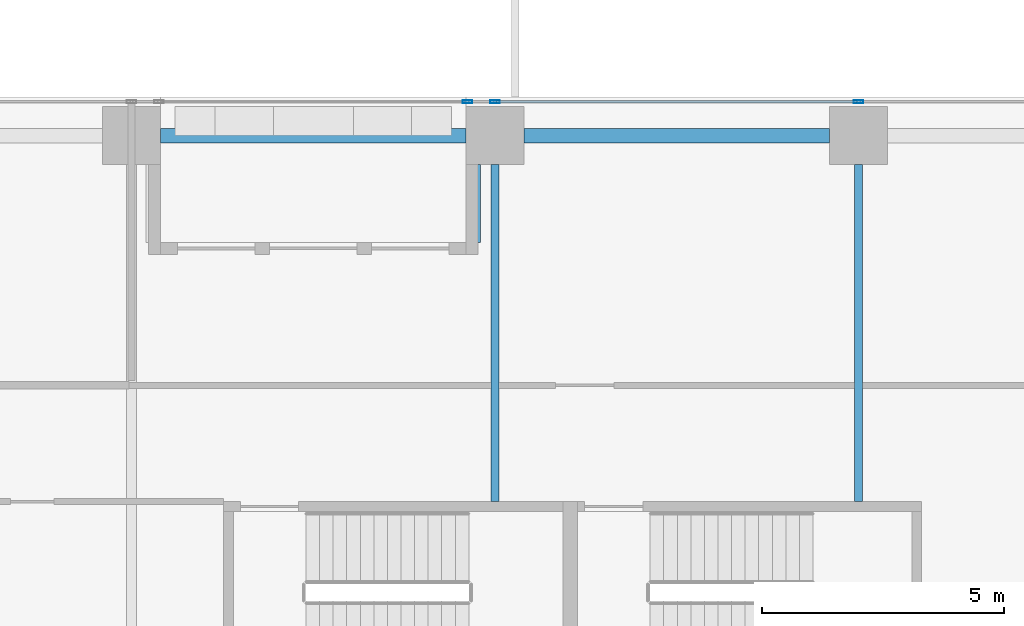
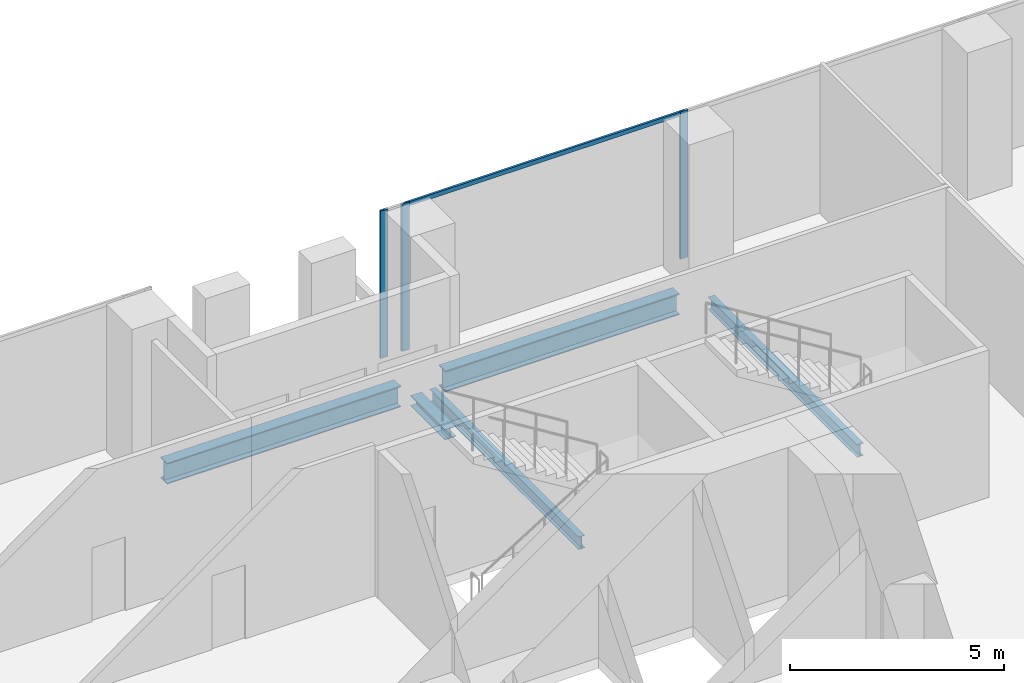
# One storey, part 15 of 33: 5 beams, 4 members, 1 element without a shape of its own.
"""IFC4 building model written with IfcOpenShell, lengths in metres."""

from ifc_helpers import new_model, si_unit, direction, frame, origin, origin_2d, place, context, subcontext, project, spatial, hollow_rectangle, i_section, extrude, source, transform, mapped, material, material_profile, profile_set, type_object, element, aggregate, save


model = new_model("IFC4")

# Units and contexts
model_context = context("Model", 3, precision=1e-05, world=origin(), true_north=direction((0.0, 1.0)))
body_context = subcontext(model_context, "Body", "Model", "MODEL_VIEW")
ifc_project = project(units=[si_unit("LENGTHUNIT", "METRE"), si_unit("AREAUNIT", "SQUARE_METRE"), si_unit("VOLUMEUNIT", "CUBIC_METRE"), si_unit("PLANEANGLEUNIT", "RADIAN"), si_unit("MASSUNIT", "GRAM", prefix="KILO")], contexts=[model_context])

# Site, building, storey
site_placement = place(None, origin())
site = spatial("IfcSite", under=ifc_project, at=site_placement, CompositionType="ELEMENT")
building_placement = place(site_placement, origin())
building = spatial("IfcBuilding", under=site, at=building_placement, Name="Khomas Fold Tower", CompositionType="ELEMENT")
storey_placement = place(building_placement, frame((0.0, 0.0, 82.5)))
storey = spatial("IfcBuildingStorey", under=building, at=storey_placement, Name="L17", CompositionType="ELEMENT", Elevation=82.5)

# Beams
ifc_material_1 = material(Name="Steel S355", Category="steel")
ifc_material_profile_1 = material_profile(ifc_material_1, i_section(OverallWidth=0.169921875, OverallDepth=0.360107421875, WebThickness=0.008056640625, FlangeThickness=0.0126953125, at=origin_2d()), Name="IPE 360")
ifc_profile_set_1 = profile_set([ifc_material_profile_1], Name="Steel S355")
beam_type_1 = type_object("IfcBeamType", Name="IPE 360 beam JB2", PredefinedType="BEAM", material=ifc_profile_set_1)
shared_shape_1 = source(origin(), body_context, "Body", "SweptSolid", [
    extrude(i_section(OverallWidth=0.169921875, OverallDepth=0.360107421875, WebThickness=0.008056640625, FlangeThickness=0.0126953125, at=origin_2d()), origin(), (0.0, 0.0, 1.0), 6.9501953125),
])
for number, where, z_axis, x_axis, name in (
    (1, (19.5, 45.64990234375, -0.47998046875), (0.0, 1.0, 0.0), (-1.0, 0.0, 0.0), "JB2"),
    (2, (27.0, 45.64990234375, -0.47998046875), (0.0, 1.0, 0.0), (-1.0, 0.0, 0.0), "JB2"),
):
    element("IfcBeam", number, at=place(storey_placement, frame(where, z_axis=z_axis, x_axis=x_axis)), inside=storey, type_object=beam_type_1, Name=name, PredefinedType="BEAM", context=body_context, shape_type="MappedRepresentation", body=[
        mapped(shared_shape_1, transform((0.0, 0.0, 0.0))),
    ])
ifc_material_2 = material(Name="Steel S355", Category="steel")
ifc_material_profile_2 = material_profile(ifc_material_2, i_section(OverallWidth=0.300048828125, OverallDepth=0.60009765625, WebThickness=0.015380859375, FlangeThickness=0.030029296875, at=origin_2d()), Name="HE 600 B")
ifc_profile_set_2 = profile_set([ifc_material_profile_2], Name="Steel S355")
beam_type_2 = type_object("IfcBeamType", Name="HE 600 B spandrel SB1", PredefinedType="SPANDREL", material=ifc_profile_set_2)
shared_shape_2 = source(origin(), body_context, "Body", "SweptSolid", [
    extrude(i_section(OverallWidth=0.300048828125, OverallDepth=0.60009765625, WebThickness=0.015380859375, FlangeThickness=0.030029296875, at=origin_2d()), origin(), (0.0, 0.0, 1.0), 6.2998046875),
])
for number, where, z_axis, x_axis, name in (
    (3, (20.10009765625, 53.199951171875, -0.60009765625), (1.0, 0.0, 0.0), (0.0, 1.0, 0.0), "SB1"),
    (4, (12.60009765625, 53.199951171875, -0.60009765625), (1.0, 0.0, 0.0), (0.0, 1.0, 0.0), "SB1"),
):
    element("IfcBeam", number, at=place(storey_placement, frame(where, z_axis=z_axis, x_axis=x_axis)), inside=storey, type_object=beam_type_2, Name=name, PredefinedType="SPANDREL", context=body_context, shape_type="MappedRepresentation", body=[
        mapped(shared_shape_2, transform((0.0, 0.0, 0.0))),
    ])
ifc_material_3 = material(Name="Steel S355", Category="steel")
ifc_material_profile_3 = material_profile(ifc_material_3, i_section(OverallWidth=0.300048828125, OverallDepth=0.300048828125, WebThickness=0.010986328125, FlangeThickness=0.01904296875, at=origin_2d()), Name="HE 300 B")
ifc_profile_set_3 = profile_set([ifc_material_profile_3], Name="Steel S355")
beam_type_3 = type_object("IfcBeamType", Name="HE 300 B beam BB1", PredefinedType="BEAM", material=ifc_profile_set_3)
shared_shape_3 = source(origin(), body_context, "Body", "SweptSolid", [
    extrude(i_section(OverallWidth=0.300048828125, OverallDepth=0.300048828125, WebThickness=0.010986328125, FlangeThickness=0.01904296875, at=origin_2d()), origin(), (0.0, 0.0, 1.0), 1.60009765625),
])
beam_placement = place(storey_placement, frame((19.050048828125, 51.0, -0.449951171875), z_axis=(0.0, 1.0, 0.0), x_axis=(-1.0, 0.0, 0.0)))
element("IfcBeam", 5, at=beam_placement, inside=storey, type_object=beam_type_3, Name="BB1", PredefinedType="BEAM", context=body_context, shape_type="MappedRepresentation", body=[
    mapped(shared_shape_3, transform((0.0, 0.0, 0.0))),
])

# Curtain wall, members
ifc_material_4 = material(Name="Aluminium framed double glazing", Category="aluminium")
curtain_wall_type = type_object("IfcCurtainWallType", Name="SK-Unitised clear-glass wall, growing floors CW1", PredefinedType="NOTDEFINED", material=ifc_material_4)
curtain_wall_placement = place(storey_placement, origin())
curtain_wall = element("IfcCurtainWall", 6, at=curtain_wall_placement, inside=storey, type_object=curtain_wall_type, Name="CW1 run L17 06-0", PredefinedType="NOTDEFINED")
ifc_material_5 = material(Name="Aluminium", Category="aluminium")
ifc_material_profile_4 = material_profile(ifc_material_5, hollow_rectangle(XDim=0.06005859375, YDim=0.1201171875, WallThickness=0.00390625, at=origin_2d()), Name="SK-Unitised clear-glass wall, growing floors transom CW1-T")
ifc_profile_set_4 = profile_set([ifc_material_profile_4], Name="Aluminium")
member_type_1 = type_object("IfcMemberType", Name="SK-Unitised clear-glass wall, growing floors transom CW1-T", PredefinedType="USERDEFINED", material=ifc_profile_set_4)
shared_shape_4 = source(origin(), body_context, "Body", "SweptSolid", [
    extrude(hollow_rectangle(XDim=0.06005859375, YDim=0.1201171875, WallThickness=0.00390625, at=origin_2d()), origin(), (0.0, 0.0, 1.0), 7.43994140625),
])
member_1_placement = place(storey_placement, frame((26.969970703125, 53.89990234375, 4.139892578125), z_axis=(-1.0, 0.0, 0.0), x_axis=(0.0, -1.0, 0.0)))
member_1 = element("IfcMember", 7, at=member_1_placement, type_object=member_type_1, Name="CW1 transom 5", ObjectType="TRANSOM", PredefinedType="USERDEFINED", context=body_context, shape_type="MappedRepresentation", body=[
    mapped(shared_shape_4, transform((0.0, 0.0, 0.0))),
])
ifc_material_6 = material(Name="Aluminium", Category="aluminium")
ifc_material_profile_5 = material_profile(ifc_material_6, hollow_rectangle(XDim=0.06005859375, YDim=0.199951171875, WallThickness=0.00390625, at=origin_2d()), Name="SK-Unitised clear-glass wall, growing floors mullion CW1-M")
ifc_profile_set_5 = profile_set([ifc_material_profile_5], Name="Aluminium")
member_type_2 = type_object("IfcMemberType", Name="SK-Unitised clear-glass wall, growing floors mullion CW1-M", PredefinedType="MULLION", material=ifc_profile_set_5)
shared_shape_5 = source(origin(), body_context, "Body", "SweptSolid", [
    extrude(hollow_rectangle(XDim=0.06005859375, YDim=0.199951171875, WallThickness=0.00390625, at=origin_2d()), origin(), (0.0, 0.0, 1.0), 4.199951171875),
])
member_2_placement = place(storey_placement, frame((27.0, 53.89990234375, 0.0), z_axis=(0.0, 0.0, 1.0), x_axis=(0.0, -1.0, 0.0)))
member_2 = element("IfcMember", 8, at=member_2_placement, type_object=member_type_2, Name="CW1 mullion 5", PredefinedType="MULLION", context=body_context, shape_type="MappedRepresentation", body=[
    mapped(shared_shape_5, transform((0.0, 0.0, 0.0))),
])
member_3_placement = place(storey_placement, frame((19.5, 53.89990234375, 0.0), z_axis=(0.0, 0.0, 1.0), x_axis=(0.0, -1.0, 0.0)))
member_3 = element("IfcMember", 9, at=member_3_placement, type_object=member_type_2, Name="CW1 mullion 6", PredefinedType="MULLION", context=body_context, shape_type="MappedRepresentation", body=[
    mapped(shared_shape_5, transform((0.0, 0.0, 0.0))),
])
member_4_placement = place(storey_placement, frame((18.929931640625, 53.89990234375, 0.0), z_axis=(0.0, 0.0, 1.0), x_axis=(0.0, -1.0, 0.0)))
member_4 = element("IfcMember", 10, at=member_4_placement, type_object=member_type_2, Name="CW1 mullion 7", PredefinedType="MULLION", context=body_context, shape_type="MappedRepresentation", body=[
    mapped(shared_shape_5, transform((0.0, 0.0, 0.0))),
])
aggregate(curtain_wall, [member_2, member_3, member_4, member_1])

save(model, "model.ifc")
